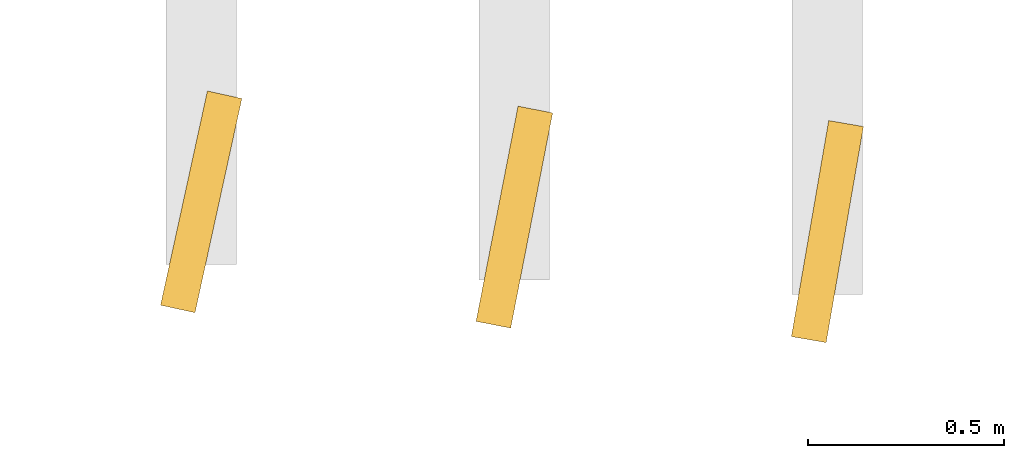
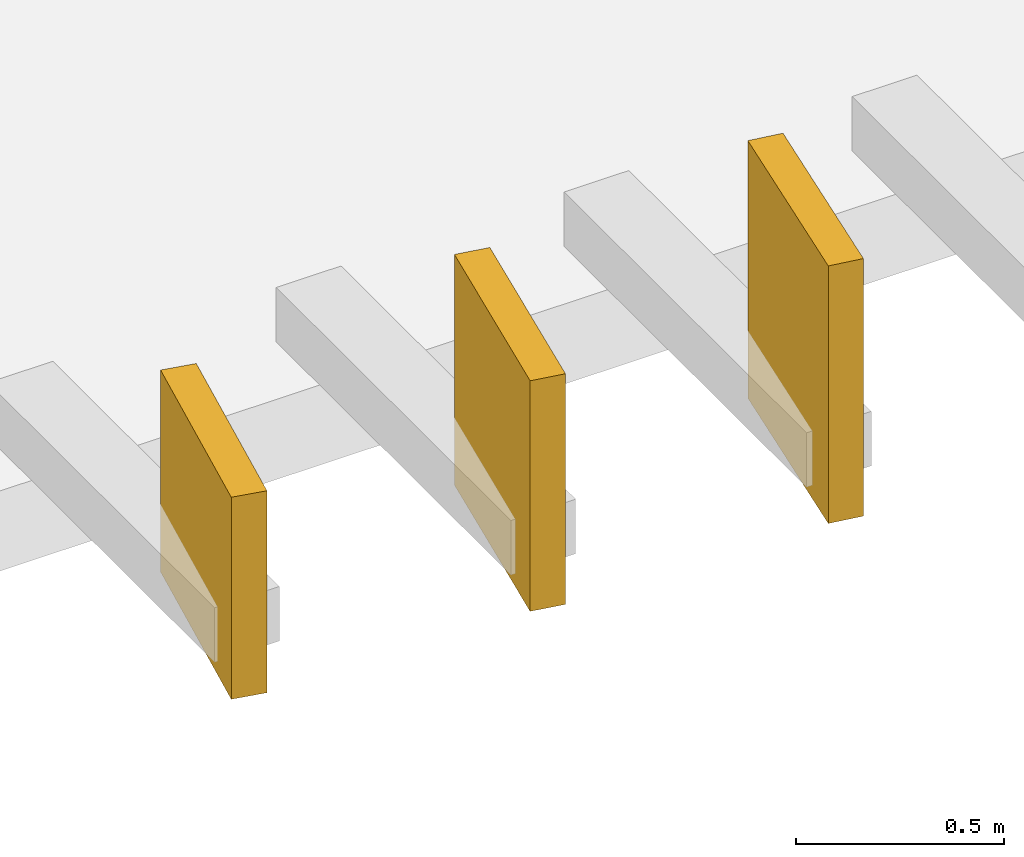
# One storey, part 76 of 76: 3 coverings.
"""IFC4 building model written with IfcOpenShell, lengths in metres."""

from ifc_helpers import new_model, si_unit, direction, frame, origin, origin_2d, place, context, subcontext, project, spatial, rectangle, extrude, material, layer, layer_set, type_object, element, save


model = new_model("IFC4")

# Units and contexts
model_context = context("Model", 3, precision=1e-05, world=origin(), true_north=direction((0.0, 1.0)))
body_context = subcontext(model_context, "Body", "Model", "MODEL_VIEW")
ifc_project = project(units=[si_unit("LENGTHUNIT", "METRE"), si_unit("AREAUNIT", "SQUARE_METRE"), si_unit("VOLUMEUNIT", "CUBIC_METRE"), si_unit("PLANEANGLEUNIT", "RADIAN"), si_unit("MASSUNIT", "GRAM", prefix="KILO")], contexts=[model_context])

# Site, building, storey
site_placement = place(None, origin())
site = spatial("IfcSite", under=ifc_project, at=site_placement, CompositionType="ELEMENT")
building_placement = place(site_placement, origin())
building = spatial("IfcBuilding", under=site, at=building_placement, Name="Cinchona Park Media Centre", CompositionType="ELEMENT")
storey_placement = place(building_placement, frame((0.0, 0.0, 15.60009765625)))
storey = spatial("IfcBuildingStorey", under=building, at=storey_placement, Name="L03", CompositionType="ELEMENT", Elevation=15.60009765625)

# Coverings
ifc_material = material(Name="Anodised Storm-Resistant Aluminium Fin", Category="aluminium")
ifc_layer = layer(ifc_material, 0.090087890625)
ifc_layer_set = layer_set([ifc_layer], Name="Anodised Storm-Resistant Aluminium Fin")
covering_type = type_object("IfcCoveringType", Name="CLADDING-FIN01", PredefinedType="CLADDING", material=ifc_layer_set)
covering_1_placement = place(storey_placement, frame((134.800048828125, 74.030029296875, -0.00048828125), z_axis=(0.0, 0.0, 1.0), x_axis=(0.213541936916, 0.97693389806, 0.0)))
element("IfcCovering", 1, at=covering_1_placement, inside=storey, type_object=covering_type, Name="Twisting Vertical Facade Fin L03", PredefinedType="CLADDING", context=body_context, shape_type="SweptSolid", body=[
    extrude(rectangle(XDim=0.56005859375, YDim=0.090087890625, at=origin_2d()), origin(), (0.0, 0.0, 1.0), 0.593017578125),
])
covering_2_placement = place(storey_placement, frame((135.60009765625, 73.990966796875, 0.00048828125), z_axis=(0.0, 0.0, 1.0), x_axis=(0.191322947989, 0.981527141537, 0.0)))
element("IfcCovering", 2, at=covering_2_placement, inside=storey, type_object=covering_type, Name="Twisting Vertical Facade Fin L03", PredefinedType="CLADDING", context=body_context, shape_type="SweptSolid", body=[
    extrude(rectangle(XDim=0.56005859375, YDim=0.090087890625, at=origin_2d()), origin(), (0.0, 0.0, 1.0), 0.677001953125),
])
covering_3_placement = place(storey_placement, frame((136.39990234375, 73.9541015625, 0.0), z_axis=(0.0, 0.0, 1.0), x_axis=(0.170037510451, 0.985437590637, 0.0)))
element("IfcCovering", 3, at=covering_3_placement, inside=storey, type_object=covering_type, Name="Twisting Vertical Facade Fin L03", PredefinedType="CLADDING", context=body_context, shape_type="SweptSolid", body=[
    extrude(rectangle(XDim=0.56005859375, YDim=0.090087890625, at=origin_2d()), origin(), (0.0, 0.0, 1.0), 0.756103515625),
])

save(model, "model.ifc")
